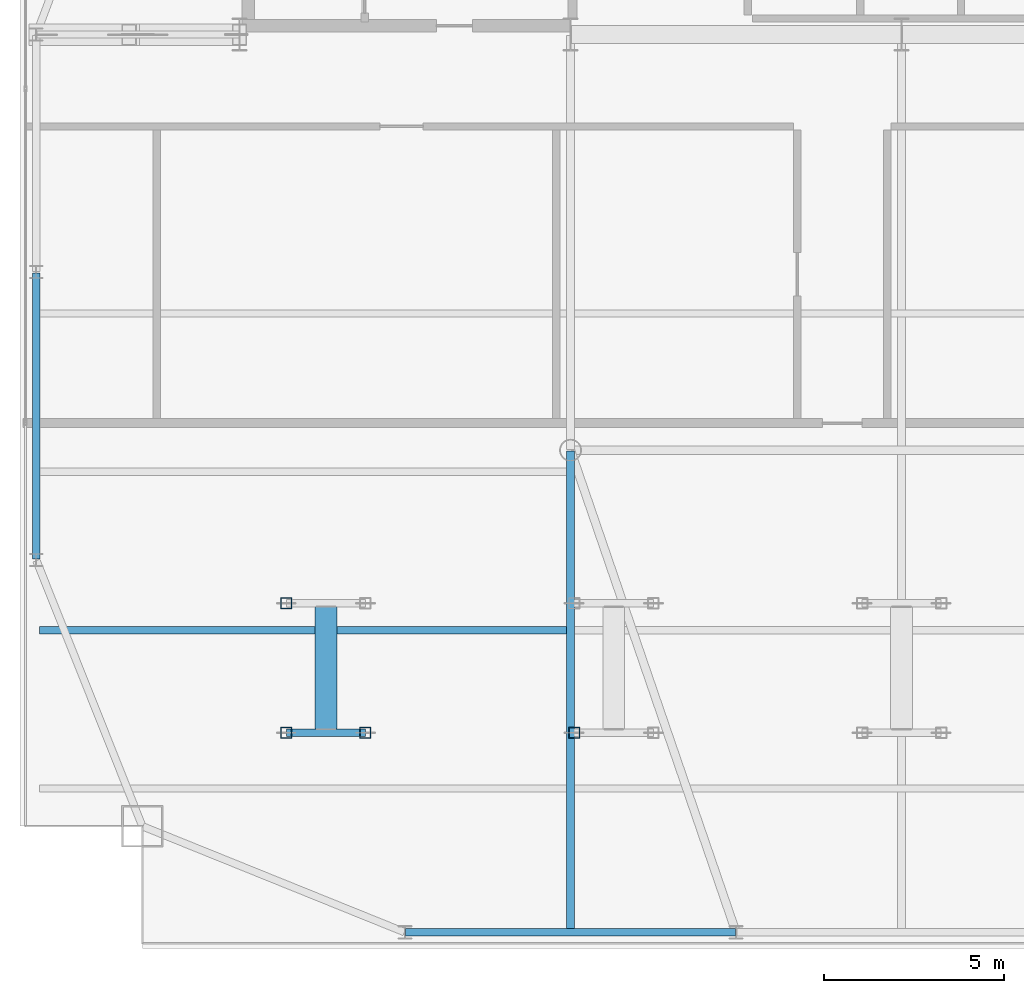
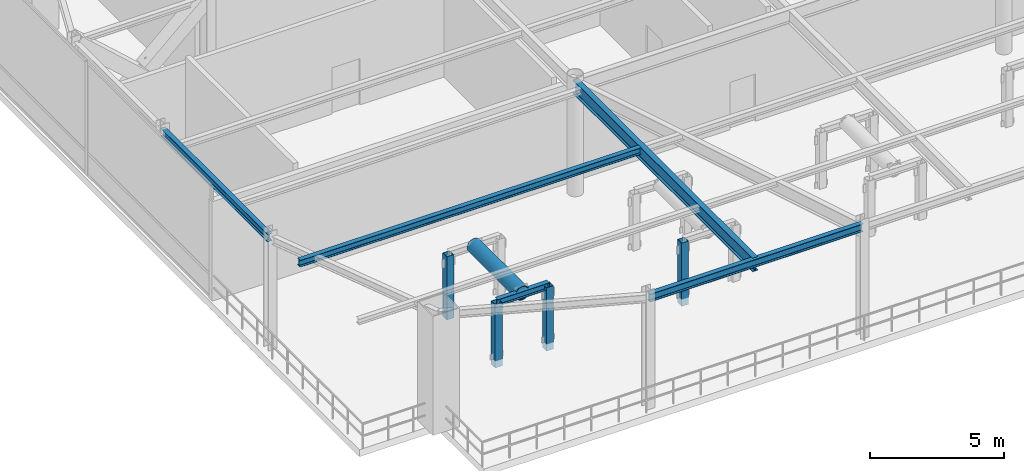
# One storey, part 4 of 21: 5 beams, 5 members.
"""IFC4 building model written with IfcOpenShell, lengths in metres."""

from ifc_helpers import new_model, si_unit, direction, frame, origin, origin_2d, place, context, subcontext, project, spatial, hollow_rectangle, hollow_circle, i_section, extrude, source, transform, mapped, material, material_profile, profile_set, type_object, type_shapes, element, save


model = new_model("IFC4")

# Units and contexts
model_context = context("Model", 3, precision=1e-05, world=origin(), true_north=direction((0.0, 1.0)))
body_context = subcontext(model_context, "Body", "Model", "MODEL_VIEW")
ifc_project = project(units=[si_unit("LENGTHUNIT", "METRE"), si_unit("AREAUNIT", "SQUARE_METRE"), si_unit("VOLUMEUNIT", "CUBIC_METRE"), si_unit("PLANEANGLEUNIT", "RADIAN"), si_unit("MASSUNIT", "GRAM", prefix="KILO")], contexts=[model_context])

# Site, building, storey
site_placement = place(None, origin())
site = spatial("IfcSite", under=ifc_project, at=site_placement, CompositionType="ELEMENT")
building_placement = place(site_placement, origin())
building = spatial("IfcBuilding", under=site, at=building_placement, Name="Varnel Quay Broadcast Tower", CompositionType="ELEMENT")
storey_placement = place(building_placement, frame((0.0, 0.0, 234.0)))
storey = spatial("IfcBuildingStorey", under=building, at=storey_placement, Name="L58", CompositionType="ELEMENT", Elevation=234.0)

# Beams
ifc_material = material(Name="Structural Steel CSA G40.21 350W", Category="steel")
ifc_material_profile_1 = material_profile(ifc_material, i_section(OverallWidth=0.205078125, OverallDepth=0.35400390625, WebThickness=0.009521484375, FlangeThickness=0.016845703125, FilletRadius=0.012939453125, at=origin_2d()), Name="W360X79")
ifc_profile_set_1 = profile_set([ifc_material_profile_1], Name="Structural Steel CSA G40.21 350W")
beam_type_1 = type_object("IfcBeamType", Name="Beam_W360X79", PredefinedType="SPANDREL", material=ifc_profile_set_1)
shared_shape_1 = source(origin(), body_context, "Body", "SweptSolid", [
    extrude(i_section(OverallWidth=0.205078125, OverallDepth=0.35400390625, WebThickness=0.009521484375, FlangeThickness=0.016845703125, FilletRadius=0.012939453125, at=origin_2d()), origin(), (0.0, 0.0, 1.0), 9.159912109375),
])
beam_1_placement = place(storey_placement, frame((20.219970703125, 10.64990234375, 4.972900390625), z_axis=(1.0, 0.0, 0.0), x_axis=(0.0, 1.0, 0.0)))
element("IfcBeam", 1, at=beam_1_placement, inside=storey, type_object=beam_type_1, Name="L58 South Spandrel TC-S1-TC-S2", PredefinedType="SPANDREL", context=body_context, shape_type="MappedRepresentation", body=[
    mapped(shared_shape_1, transform((0.0, 0.0, 0.0), x_axis=(1.0, 0.0, 0.0), y_axis=(0.0, 1.0, 0.0), z_axis=(0.0, 0.0, 1.0), scale=1.0)),
])
shared_shape_2 = source(origin(), body_context, "Body", "SweptSolid", [
    extrude(i_section(OverallWidth=0.205078125, OverallDepth=0.35400390625, WebThickness=0.009521484375, FlangeThickness=0.016845703125, FilletRadius=0.012939453125, at=origin_2d()), origin(), (0.0, 0.0, 1.0), 7.9599609375),
])
type_shapes(beam_type_1, [shared_shape_1, shared_shape_2])
beam_2_placement = place(storey_placement, frame((9.949951171875, 21.02001953125, 4.972900390625), z_axis=(0.0, 1.0, 0.0), x_axis=(-1.0, 0.0, 0.0)))
element("IfcBeam", 2, at=beam_2_placement, inside=storey, type_object=beam_type_1, Name="L58 West Spandrel TC-W1-TC-W2", PredefinedType="SPANDREL", context=body_context, shape_type="MappedRepresentation", body=[
    mapped(shared_shape_2, transform((0.0, 0.0, 0.0), x_axis=(1.0, 0.0, 0.0), y_axis=(0.0, 1.0, 0.0), z_axis=(0.0, 0.0, 1.0), scale=1.0)),
])
ifc_material_profile_2 = material_profile(ifc_material, i_section(OverallWidth=0.22998046875, OverallDepth=0.616943359375, WebThickness=0.01318359375, FlangeThickness=0.022216796875, FilletRadius=0.01611328125, at=origin_2d()), Name="W610X140")
ifc_profile_set_2 = profile_set([ifc_material_profile_2], Name="Structural Steel CSA G40.21 350W")
beam_type_2 = type_object("IfcBeamType", Name="Girder_W610X140", PredefinedType="BEAM", material=ifc_profile_set_2)
shared_shape_3 = source(origin(), body_context, "Body", "SweptSolid", [
    extrude(i_section(OverallWidth=0.22998046875, OverallDepth=0.616943359375, WebThickness=0.01318359375, FlangeThickness=0.022216796875, FilletRadius=0.01611328125, at=origin_2d()), origin(), (0.0, 0.0, 1.0), 13.360107421875),
])
type_shapes(beam_type_2, [shared_shape_3])
beam_3_placement = place(storey_placement, frame((24.800048828125, 10.669921875, 4.841552734375), z_axis=(0.0, 1.0, 0.0), x_axis=(-1.0, 0.0, 0.0)))
element("IfcBeam", 3, at=beam_3_placement, inside=storey, type_object=beam_type_2, Name="L58 N-S Joist Header IC-01S", PredefinedType="BEAM", context=body_context, shape_type="MappedRepresentation", body=[
    mapped(shared_shape_3, transform((0.0, 0.0, 0.0), x_axis=(1.0, 0.0, 0.0), y_axis=(0.0, 1.0, 0.0), z_axis=(0.0, 0.0, 1.0), scale=1.0)),
])
ifc_material_profile_3 = material_profile(ifc_material, i_section(OverallWidth=0.202880859375, OverallDepth=0.302978515625, WebThickness=0.007568359375, FlangeThickness=0.01318359375, FilletRadius=0.011962890625, at=origin_2d()), Name="W310X60")
ifc_profile_set_3 = profile_set([ifc_material_profile_3], Name="Structural Steel CSA G40.21 350W")
beam_type_3 = type_object("IfcBeamType", Name="Beam_W310X60", PredefinedType="JOIST", material=ifc_profile_set_3)
shared_shape_4 = source(origin(), body_context, "Body", "SweptSolid", [
    extrude(i_section(OverallWidth=0.202880859375, OverallDepth=0.302978515625, WebThickness=0.007568359375, FlangeThickness=0.01318359375, FilletRadius=0.011962890625, at=origin_2d()), origin(), (0.0, 0.0, 1.0), 14.642333984375),
])
beam_4_placement = place(storey_placement, frame((10.047607421875, 19.050048828125, 4.99853515625), z_axis=(1.0, 0.0, 0.0), x_axis=(0.0, 1.0, 0.0)))
element("IfcBeam", 4, at=beam_4_placement, inside=storey, type_object=beam_type_3, Name="L58 West Floor Joist 2", PredefinedType="JOIST", context=body_context, shape_type="MappedRepresentation", body=[
    mapped(shared_shape_4, transform((0.0, 0.0, 0.0), x_axis=(1.0, 0.0, 0.0), y_axis=(0.0, 1.0, 0.0), z_axis=(0.0, 0.0, 1.0), scale=1.0)),
])

# Members
ifc_material_profile_4 = material_profile(ifc_material, hollow_rectangle(XDim=0.304931640625, YDim=0.304931640625, WallThickness=0.012939453125, at=origin_2d()), Name="HSS305X305X13")
ifc_profile_set_4 = profile_set([ifc_material_profile_4], Name="Structural Steel CSA G40.21 350W")
member_type_1 = type_object("IfcMemberType", Name="Strut_HSS305X305X13", PredefinedType="STRUT", material=ifc_profile_set_4)
shared_shape_5 = source(origin(), body_context, "Body", "SweptSolid", [
    extrude(hollow_rectangle(XDim=0.304931640625, YDim=0.304931640625, WallThickness=0.012939453125, at=origin_2d()), origin(), (0.0, 0.0, 1.0), 2.8701171875),
])
type_shapes(member_type_1, [shared_shape_5])
for number, where, z_axis, x_axis, name in (
    (5, (16.89990234375, 16.199951171875, -0.320068359375), (0.0, 0.0, 1.0), (1.0, 0.0, 0.0), "L58 Wind Turbine 1 Cradle Post WS"),
    (6, (16.89990234375, 19.800048828125, -0.320068359375), (0.0, 0.0, 1.0), (1.0, 0.0, 0.0), "L58 Wind Turbine 1 Cradle Post WN"),
    (7, (19.10009765625, 16.199951171875, -0.320068359375), (0.0, 0.0, 1.0), (1.0, 0.0, 0.0), "L58 Wind Turbine 1 Cradle Post ES"),
    (8, (24.89990234375, 16.199951171875, -0.320068359375), (0.0, 0.0, 1.0), (1.0, 0.0, 0.0), "L58 Wind Turbine 2 Cradle Post WS"),
):
    element("IfcMember", number, at=place(storey_placement, frame(where, z_axis=z_axis, x_axis=x_axis)), inside=storey, type_object=member_type_1, Name=name, PredefinedType="STRUT", context=body_context, shape_type="MappedRepresentation", body=[
        mapped(shared_shape_5, transform((0.0, 0.0, 0.0), x_axis=(1.0, 0.0, 0.0), y_axis=(0.0, 1.0, 0.0), z_axis=(0.0, 0.0, 1.0), scale=1.0)),
    ])

# Beam
shared_shape_6 = source(origin(), body_context, "Body", "SweptSolid", [
    extrude(i_section(OverallWidth=0.202880859375, OverallDepth=0.302978515625, WebThickness=0.007568359375, FlangeThickness=0.01318359375, FilletRadius=0.011962890625, at=origin_2d()), origin(), (0.0, 0.0, 1.0), 2.2001953125),
])
type_shapes(beam_type_3, [shared_shape_4, shared_shape_6])
beam_5_placement = place(storey_placement, frame((16.89990234375, 16.199951171875, 2.550048828125), z_axis=(1.0, 0.0, 0.0), x_axis=(0.0, 1.0, 0.0)))
element("IfcBeam", 9, at=beam_5_placement, inside=storey, type_object=beam_type_3, Name="L58 Wind Turbine 1 South Cradle Beam", PredefinedType="JOIST", context=body_context, shape_type="MappedRepresentation", body=[
    mapped(shared_shape_6, transform((0.0, 0.0, 0.0), x_axis=(1.0, 0.0, 0.0), y_axis=(0.0, 1.0, 0.0), z_axis=(0.0, 0.0, 1.0), scale=1.0)),
])

# Member
ifc_material_profile_5 = material_profile(ifc_material, hollow_circle(Radius=0.304931640625, WallThickness=0.02490234375, at=origin_2d()), Name="CHS610X25")
ifc_profile_set_5 = profile_set([ifc_material_profile_5], Name="Structural Steel CSA G40.21 350W")
member_type_2 = type_object("IfcMemberType", Name="Brace_CHS610X25", PredefinedType="BRACE", material=ifc_profile_set_5)
shared_shape_7 = source(origin(), body_context, "Body", "SweptSolid", [
    extrude(hollow_circle(Radius=0.304931640625, WallThickness=0.02490234375, at=origin_2d()), origin(), (0.0, 0.0, 1.0), 3.60009765625),
])
type_shapes(member_type_2, [shared_shape_7])
member_placement = place(storey_placement, frame((18.0, 16.199951171875, 2.550048828125), z_axis=(0.0, 1.0, 0.0), x_axis=(-1.0, 0.0, 0.0)))
element("IfcMember", 10, at=member_placement, inside=storey, type_object=member_type_2, Name="L58 Wind Turbine 1 Nacelle Shaft", PredefinedType="BRACE", context=body_context, shape_type="MappedRepresentation", body=[
    mapped(shared_shape_7, transform((0.0, 0.0, 0.0), x_axis=(1.0, 0.0, 0.0), y_axis=(0.0, 1.0, 0.0), z_axis=(0.0, 0.0, 1.0), scale=1.0)),
])

save(model, "model.ifc")
